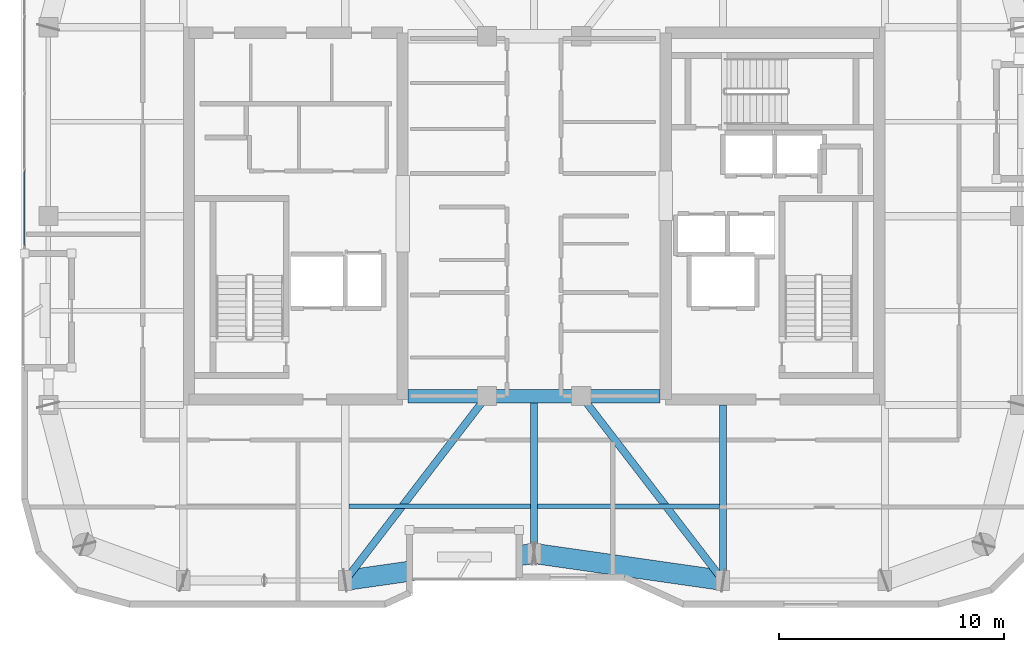
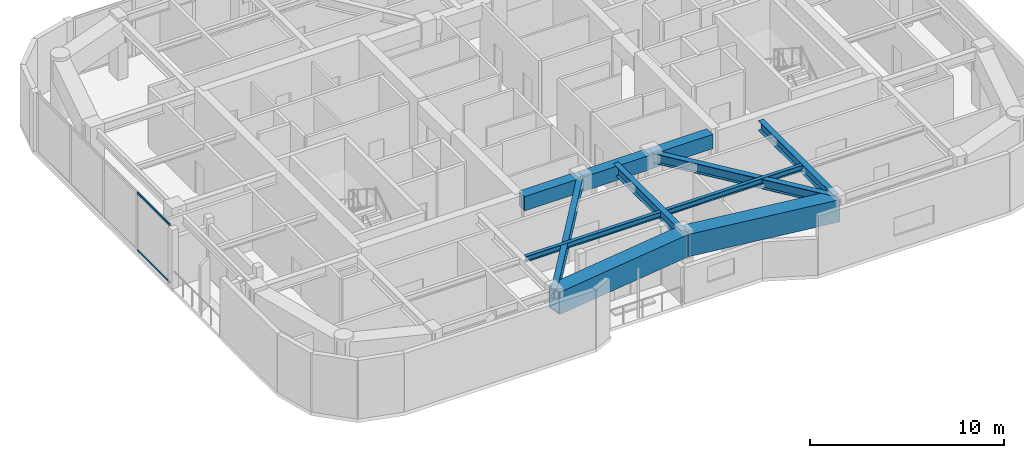
# One storey, part 3 of 16: 11 beams, 2 members, 1 element without a shape of its own.
"""IFC4 building model written with IfcOpenShell, lengths in metres."""

from ifc_helpers import new_model, si_unit, direction, frame, origin, origin_2d, place, context, subcontext, project, spatial, rectangle, hollow_rectangle, i_section, extrude, material, layer, layer_set, material_profile, profile_set, type_object, element, aggregate, save


model = new_model("IFC4")

# Units and contexts
model_context = context("Model", 3, precision=1e-05, world=origin(), true_north=direction((0.0, 1.0)))
body_context = subcontext(model_context, "Body", "Model", "MODEL_VIEW")
ifc_project = project(units=[si_unit("LENGTHUNIT", "METRE"), si_unit("AREAUNIT", "SQUARE_METRE"), si_unit("VOLUMEUNIT", "CUBIC_METRE"), si_unit("PLANEANGLEUNIT", "RADIAN"), si_unit("MASSUNIT", "GRAM", prefix="KILO")], contexts=[model_context])

# Site, building, storey
site_placement = place(None, origin())
site = spatial("IfcSite", under=ifc_project, at=site_placement, CompositionType="ELEMENT")
building_placement = place(site_placement, origin())
building = spatial("IfcBuilding", under=site, at=building_placement, Name="Kiyonajd Concourse Tower", CompositionType="ELEMENT")
storey_placement = place(building_placement, frame((0.0, 0.0, 333.60009765625)))
storey = spatial("IfcBuildingStorey", under=building, at=storey_placement, Name="L84", CompositionType="ELEMENT", Elevation=333.60009765625)

# Beams
ifc_material_1 = material(Name="Concrete C60/75", Category="concrete")
ifc_material_profile_1 = material_profile(ifc_material_1, rectangle(XDim=0.60009765625, YDim=0.89990234375, at=origin_2d()), Name="RCBM-600x900")
ifc_profile_set_1 = profile_set([ifc_material_profile_1], Name="Concrete C60/75")
beam_type_1 = type_object("IfcBeamType", Name="BM-COUP-900", PredefinedType="LINTEL", material=ifc_profile_set_1)
beam_1_placement = place(storey_placement, frame((42.39990234375, 28.0, 3.22998046875), z_axis=(1.0, 0.0, 0.0), x_axis=(0.0, 1.0, 0.0)))
element("IfcBeam", 1, at=beam_1_placement, inside=storey, type_object=beam_type_1, Name="L84 Core Coupling Beam S1", PredefinedType="LINTEL", context=body_context, shape_type="SweptSolid", body=[
    extrude(rectangle(XDim=0.60009765625, YDim=0.89990234375, at=origin_2d()), origin(), (0.0, 0.0, 1.0), 3.5),
])
beam_2_placement = place(storey_placement, frame((45.89990234375, 28.0, 3.22998046875), z_axis=(1.0, 0.0, 0.0), x_axis=(0.0, 1.0, 0.0)))
element("IfcBeam", 2, at=beam_2_placement, inside=storey, type_object=beam_type_1, Name="L84 Core Coupling Beam S2", PredefinedType="LINTEL", context=body_context, shape_type="SweptSolid", body=[
    extrude(rectangle(XDim=0.60009765625, YDim=0.89990234375, at=origin_2d()), origin(), (0.0, 0.0, 1.0), 4.2001953125),
])
beam_3_placement = place(storey_placement, frame((50.10009765625, 28.0, 3.22998046875), z_axis=(1.0, 0.0, 0.0), x_axis=(0.0, 1.0, 0.0)))
element("IfcBeam", 3, at=beam_3_placement, inside=storey, type_object=beam_type_1, Name="L84 Core Coupling Beam S3", PredefinedType="LINTEL", context=body_context, shape_type="SweptSolid", body=[
    extrude(rectangle(XDim=0.60009765625, YDim=0.89990234375, at=origin_2d()), origin(), (0.0, 0.0, 1.0), 3.5),
])
ifc_material_2 = material(Name="Steel ASTM A992 Grade 50", Category="steel")
ifc_material_profile_2 = material_profile(ifc_material_2, i_section(OverallWidth=0.205078125, OverallDepth=0.35400390625, WebThickness=0.009521484375, FlangeThickness=0.016845703125, at=origin_2d()), Name="W360X79")
ifc_profile_set_2 = profile_set([ifc_material_profile_2], Name="Steel ASTM A992 Grade 50")
beam_type_2 = type_object("IfcBeamType", Name="BM-JST-360", PredefinedType="JOIST", material=ifc_profile_set_2)
for number, where, z_axis, x_axis, name in (
    (4, (39.761962890625, 23.10009765625, 3.5029296875), (1.0, 0.0, 0.0), (0.0, 1.0, 0.0), "L84 Secondary Floor Joist"),
    (5, (48.162109375, 23.10009765625, 3.5029296875), (1.0, 0.0, 0.0), (0.0, 1.0, 0.0), "L84 Secondary Floor Joist"),
):
    element("IfcBeam", number, at=place(storey_placement, frame(where, z_axis=z_axis, x_axis=x_axis)), inside=storey, type_object=beam_type_2, Name=name, PredefinedType="JOIST", context=body_context, shape_type="SweptSolid", body=[
        extrude(i_section(OverallWidth=0.205078125, OverallDepth=0.35400390625, WebThickness=0.009521484375, FlangeThickness=0.016845703125, at=origin_2d()), origin(), (0.0, 0.0, 1.0), 8.075927734375),
    ])
ifc_material_profile_3 = material_profile(ifc_material_2, i_section(OverallWidth=0.326904296875, OverallDepth=0.6220703125, WebThickness=0.015380859375, FlangeThickness=0.0244140625, at=origin_2d()), Name="W610X195")
ifc_profile_set_3 = profile_set([ifc_material_profile_3], Name="Steel ASTM A992 Grade 50")
beam_type_3 = type_object("IfcBeamType", Name="BM-TWR-610A", PredefinedType="BEAM", material=ifc_profile_set_3)
for number, where, z_axis, x_axis, name in (
    (6, (39.60009765625, 19.800048828125, 3.368896484375), (0.609233709922, 0.792990722956, 0.0), (-0.792990722956, 0.609233709922, 0.0), "L84 Core Tie Girder"),
    (7, (50.10009765625, 28.0, 3.368896484375), (0.609233709922, -0.792990722956, 0.0), (0.792990722956, 0.609233709922, 0.0), "L84 Core Tie Girder"),
):
    element("IfcBeam", number, at=place(storey_placement, frame(where, z_axis=z_axis, x_axis=x_axis)), inside=storey, type_object=beam_type_3, Name=name, PredefinedType="BEAM", context=body_context, shape_type="SweptSolid", body=[
        extrude(i_section(OverallWidth=0.326904296875, OverallDepth=0.6220703125, WebThickness=0.015380859375, FlangeThickness=0.0244140625, at=origin_2d()), origin(), (0.0, 0.0, 1.0), 10.340576171875),
    ])
ifc_material_profile_4 = material_profile(ifc_material_2, i_section(OverallWidth=0.323974609375, OverallDepth=0.611083984375, WebThickness=0.0126953125, FlangeThickness=0.01904296875, at=origin_2d()), Name="W610X155")
ifc_profile_set_4 = profile_set([ifc_material_profile_4], Name="Steel ASTM A992 Grade 50")
beam_type_4 = type_object("IfcBeamType", Name="BM-TWR-610B", PredefinedType="BEAM", material=ifc_profile_set_4)
beam_4_placement = place(storey_placement, frame((56.39990234375, 19.800048828125, 3.37451171875), z_axis=(0.0, 1.0, 0.0), x_axis=(-1.0, 0.0, 0.0)))
element("IfcBeam", 8, at=beam_4_placement, inside=storey, type_object=beam_type_4, Name="L84 South Lease Girder", PredefinedType="BEAM", context=body_context, shape_type="SweptSolid", body=[
    extrude(i_section(OverallWidth=0.323974609375, OverallDepth=0.611083984375, WebThickness=0.0126953125, FlangeThickness=0.01904296875, at=origin_2d()), origin(), (0.0, 0.0, 1.0), 7.800048828125),
])
beam_5_placement = place(storey_placement, frame((48.0, 21.0, 3.37451171875), z_axis=(0.0, 1.0, 0.0), x_axis=(-1.0, 0.0, 0.0)))
element("IfcBeam", 9, at=beam_5_placement, inside=storey, type_object=beam_type_4, Name="L84 South Ribbon Girder", PredefinedType="BEAM", context=body_context, shape_type="SweptSolid", body=[
    extrude(i_section(OverallWidth=0.323974609375, OverallDepth=0.611083984375, WebThickness=0.0126953125, FlangeThickness=0.01904296875, at=origin_2d()), origin(), (0.0, 0.0, 1.0), 7.0),
])
ifc_material_3 = material(Name="Steel ASTM A572 Grade 50", Category="steel")
ifc_material_profile_5 = material_profile(ifc_material_3, hollow_rectangle(XDim=0.89990234375, YDim=1.39990234375, WallThickness=0.070068359375, at=origin_2d()), Name="BOX-1400x900x70")
ifc_profile_set_5 = profile_set([ifc_material_profile_5], Name="Steel ASTM A572 Grade 50")
beam_type_5 = type_object("IfcBeamType", Name="BM-XFER-1400", PredefinedType="BEAM", material=ifc_profile_set_5)
for number, where, z_axis, x_axis, name in (
    (10, (39.60009765625, 19.800048828125, 2.97998046875), (0.989950069105, 0.141417328072, 0.0), (-0.141417328072, 0.989950069105, 0.0), "L84 Perimeter Bundled Tube Spandrel"),
    (11, (48.0, 21.0, 2.97998046875), (0.989950069105, -0.141417328072, 0.0), (0.141417328072, 0.989950069105, 0.0), "L84 Perimeter Bundled Tube Spandrel"),
):
    element("IfcBeam", number, at=place(storey_placement, frame(where, z_axis=z_axis, x_axis=x_axis)), inside=storey, type_object=beam_type_5, Name=name, PredefinedType="BEAM", context=body_context, shape_type="SweptSolid", body=[
        extrude(hollow_rectangle(XDim=0.89990234375, YDim=1.39990234375, WallThickness=0.070068359375, at=origin_2d()), origin(), (0.0, 0.0, 1.0), 8.485107421875),
    ])

# Curtain wall, members
ifc_material_4 = material(Name="Thermally Broken Anodised Aluminium", Category="aluminium")
ifc_layer = layer(ifc_material_4, 0.179931640625)
ifc_layer_set = layer_set([ifc_layer], Name="Thermally Broken Anodised Aluminium")
curtain_wall_type = type_object("IfcCurtainWallType", Name="CW-SYS-04", PredefinedType="NOTDEFINED", material=ifc_layer_set)
curtain_wall_placement = place(storey_placement, origin())
curtain_wall = element("IfcCurtainWall", 12, at=curtain_wall_placement, inside=storey, type_object=curtain_wall_type, Name="L84 Unitised Curtain Wall CW4", PredefinedType="NOTDEFINED")
ifc_material_profile_6 = material_profile(ifc_material_4, hollow_rectangle(XDim=0.06494140625, YDim=0.139892578125, WallThickness=0.00390625, at=origin_2d()), Name="TRAN-65x140")
ifc_profile_set_6 = profile_set([ifc_material_profile_6], Name="Thermally Broken Anodised Aluminium")
member_type = type_object("IfcMemberType", Name="MB-CW-TRAN1", PredefinedType="USERDEFINED", material=ifc_profile_set_6)
member_1_placement = place(storey_placement, frame((25.340087890625, 34.695068359375, 0.032470703125), z_axis=(0.0, 1.0, 0.0), x_axis=(-1.0, 0.0, 0.0)))
member_1 = element("IfcMember", 13, at=member_1_placement, type_object=member_type, Name="CW4 transom 1.1", ObjectType="TRANSOM", PredefinedType="USERDEFINED", context=body_context, shape_type="SweptSolid", body=[
    extrude(hollow_rectangle(XDim=0.06494140625, YDim=0.139892578125, WallThickness=0.00390625, at=origin_2d()), origin(), (0.0, 0.0, 1.0), 3.31787109375),
])
member_2_placement = place(storey_placement, frame((25.340087890625, 34.695068359375, 3.6474609375), z_axis=(0.0, 1.0, 0.0), x_axis=(-1.0, 0.0, 0.0)))
member_2 = element("IfcMember", 14, at=member_2_placement, type_object=member_type, Name="CW4 transom 1.2", ObjectType="TRANSOM", PredefinedType="USERDEFINED", context=body_context, shape_type="SweptSolid", body=[
    extrude(hollow_rectangle(XDim=0.06494140625, YDim=0.139892578125, WallThickness=0.00390625, at=origin_2d()), origin(), (0.0, 0.0, 1.0), 3.31787109375),
])
aggregate(curtain_wall, [member_1, member_2])

save(model, "model.ifc")
